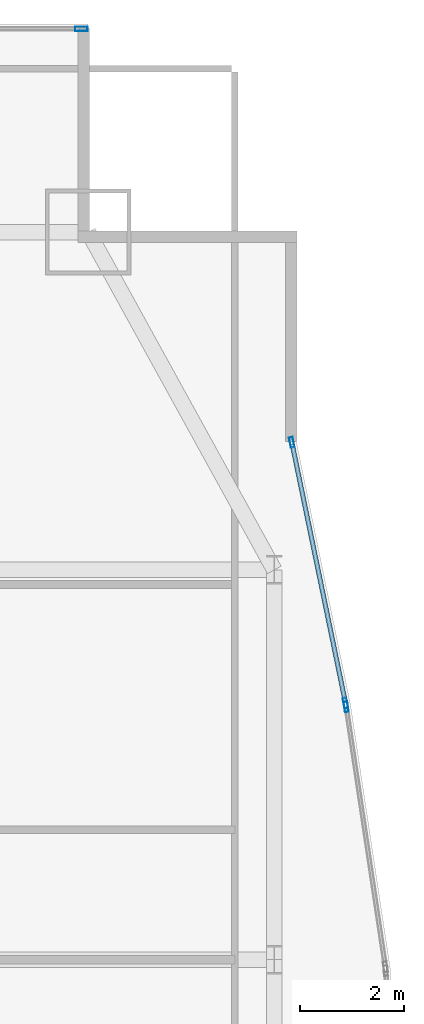
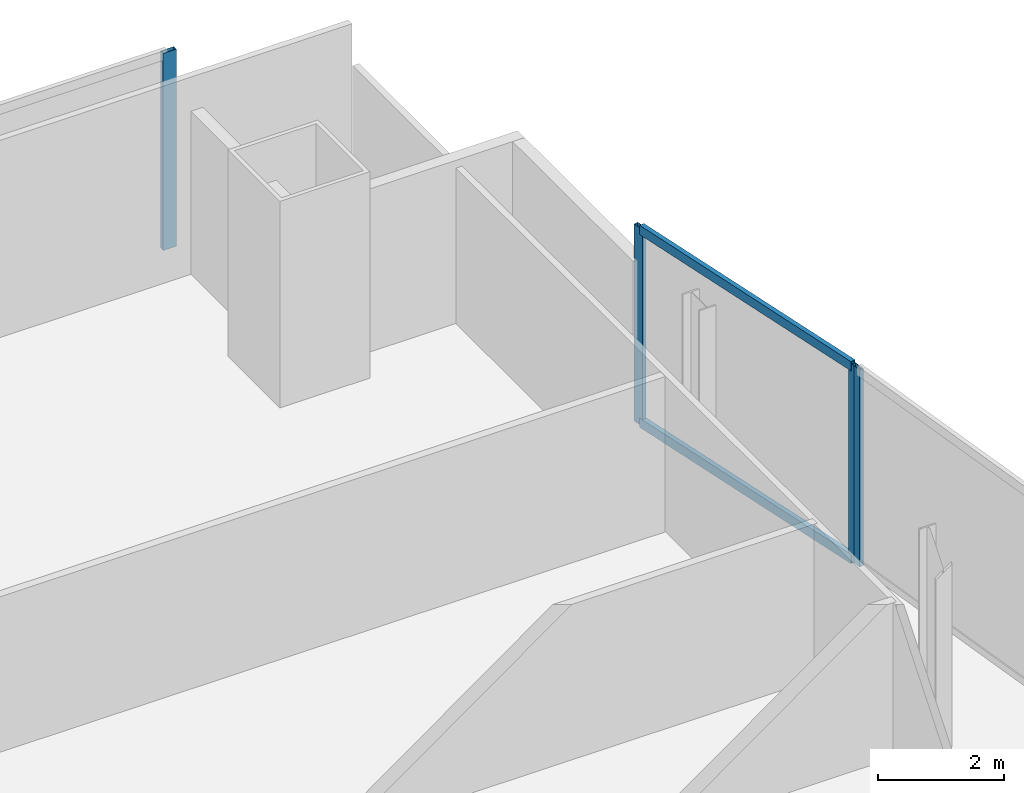
# One storey, part 26 of 36: 6 members, 3 elements without a shape of their own.
"""IFC4 building model written with IfcOpenShell, lengths in metres."""

from ifc_helpers import new_model, si_unit, direction, frame, origin, origin_2d, place, context, subcontext, project, spatial, hollow_rectangle, extrude, material, material_profile, profile_set, type_object, element, aggregate, save


model = new_model("IFC4")

# Units and contexts
model_context = context("Model", 3, precision=1e-05, world=origin(), true_north=direction((0.0, 1.0)))
body_context = subcontext(model_context, "Body", "Model", "MODEL_VIEW")
ifc_project = project(units=[si_unit("LENGTHUNIT", "METRE"), si_unit("AREAUNIT", "SQUARE_METRE"), si_unit("VOLUMEUNIT", "CUBIC_METRE"), si_unit("PLANEANGLEUNIT", "RADIAN"), si_unit("MASSUNIT", "GRAM", prefix="KILO")], contexts=[model_context])

# Site, building, storey
site_placement = place(None, origin())
site = spatial("IfcSite", under=ifc_project, at=site_placement, CompositionType="ELEMENT")
building_placement = place(site_placement, origin())
building = spatial("IfcBuilding", under=site, at=building_placement, Name="Khoronbel Lancet Exchange", CompositionType="ELEMENT")
storey_placement = place(building_placement, frame((0.0, 0.0, 57.800048828125)))
storey = spatial("IfcBuildingStorey", under=building, at=storey_placement, Name="L13", CompositionType="ELEMENT", Elevation=57.800048828125)

# Curtain wall, member
ifc_material_1 = material(Name="Low-E Solar Control Insulating Glass", Category="glass")
curtain_wall_type_1 = type_object("IfcCurtainWallType", Name="CW-1", PredefinedType="NOTDEFINED", material=ifc_material_1)
curtain_wall_1_placement = place(storey_placement, origin())
curtain_wall_1 = element("IfcCurtainWall", 1, at=curtain_wall_1_placement, inside=storey, type_object=curtain_wall_type_1, Name="Unitised curtain wall CW-L13-NEFLK", PredefinedType="NOTDEFINED")
ifc_material_2 = material(Name="Bronze-Anodised Aluminium 6063-T6", Category="aluminium")
ifc_material_profile_1 = material_profile(ifc_material_2, hollow_rectangle(XDim=0.0849609375, YDim=0.239990234375, WallThickness=0.006103515625, at=origin_2d()), Name="ALU MULLION 85x240")
ifc_profile_set_1 = profile_set([ifc_material_profile_1], Name="Bronze-Anodised Aluminium 6063-T6")
member_type_1 = type_object("IfcMemberType", Name="MEM-CWM1", PredefinedType="MULLION", material=ifc_profile_set_1)
member_1_placement = place(storey_placement, frame((67.91748046875, 53.610107421875, 0.0), z_axis=(0.0, 0.0, 1.0), x_axis=(0.0, -1.0, 0.0)))
member_1 = element("IfcMember", 2, at=member_1_placement, type_object=member_type_1, Name="CW1 mullion 1", PredefinedType="MULLION", context=body_context, shape_type="SweptSolid", body=[
    extrude(hollow_rectangle(XDim=0.0849609375, YDim=0.239990234375, WallThickness=0.006103515625, at=origin_2d()), origin(), (0.0, 0.0, 1.0), 3.820068359375),
])
aggregate(curtain_wall_1, [member_1])

# Curtain wall, members
curtain_wall_type_2 = type_object("IfcCurtainWallType", Name="CW-4", PredefinedType="NOTDEFINED", material=ifc_material_1)
curtain_wall_2_placement = place(storey_placement, origin())
curtain_wall_2 = element("IfcCurtainWall", 3, at=curtain_wall_2_placement, inside=storey, type_object=curtain_wall_type_2, Name="Unitised curtain wall CW-L13-E17", PredefinedType="NOTDEFINED")
ifc_material_profile_2 = material_profile(ifc_material_2, hollow_rectangle(XDim=0.074951171875, YDim=0.199951171875, WallThickness=0.0048828125, at=origin_2d()), Name="ALU MULLION 75x200")
ifc_profile_set_2 = profile_set([ifc_material_profile_2], Name="Bronze-Anodised Aluminium 6063-T6")
member_type_2 = type_object("IfcMemberType", Name="MEM-CWM2", PredefinedType="MULLION", material=ifc_profile_set_2)
member_2_placement = place(storey_placement, frame((71.967529296875, 45.654052734375, 0.0), z_axis=(0.0, 0.0, 1.0), x_axis=(0.979446422351, 0.201704501049, 0.0)))
member_2 = element("IfcMember", 4, at=member_2_placement, type_object=member_type_2, Name="CW4 mullion 1", PredefinedType="MULLION", context=body_context, shape_type="SweptSolid", body=[
    extrude(hollow_rectangle(XDim=0.074951171875, YDim=0.199951171875, WallThickness=0.0048828125, at=origin_2d()), origin(), (0.0, 0.0, 1.0), 3.820068359375),
])
member_3_placement = place(storey_placement, frame((73.000732421875, 40.6376953125, 0.0), z_axis=(0.0, 0.0, 1.0), x_axis=(0.979446422351, 0.201704501049, 0.0)))
member_3 = element("IfcMember", 5, at=member_3_placement, type_object=member_type_2, Name="CW4 mullion 2", PredefinedType="MULLION", context=body_context, shape_type="SweptSolid", body=[
    extrude(hollow_rectangle(XDim=0.074951171875, YDim=0.199951171875, WallThickness=0.0048828125, at=origin_2d()), origin(), (0.0, 0.0, 1.0), 3.820068359375),
])

# Curtain wall, member
curtain_wall_3_placement = place(storey_placement, origin())
curtain_wall_3 = element("IfcCurtainWall", 6, at=curtain_wall_3_placement, inside=storey, type_object=curtain_wall_type_2, Name="Unitised curtain wall CW-L13-E18", PredefinedType="NOTDEFINED")
member_4_placement = place(storey_placement, frame((73.013671875, 40.563720703125, 0.0), z_axis=(0.0, 0.0, 1.0), x_axis=(0.988825213041, 0.149079502463, 0.0)))
member_4 = element("IfcMember", 7, at=member_4_placement, type_object=member_type_2, Name="CW4 mullion 1", PredefinedType="MULLION", context=body_context, shape_type="SweptSolid", body=[
    extrude(hollow_rectangle(XDim=0.074951171875, YDim=0.199951171875, WallThickness=0.0048828125, at=origin_2d()), origin(), (0.0, 0.0, 1.0), 3.820068359375),
])
aggregate(curtain_wall_3, [member_4])

# Member
ifc_material_profile_3 = material_profile(ifc_material_2, hollow_rectangle(XDim=0.0849609375, YDim=0.179931640625, WallThickness=0.0048828125, at=origin_2d()), Name="ALU TRANSOM 85x180")
ifc_profile_set_3 = profile_set([ifc_material_profile_3], Name="Bronze-Anodised Aluminium 6063-T6")
member_type_3 = type_object("IfcMemberType", Name="MEM-CWT1", PredefinedType="USERDEFINED", material=ifc_profile_set_3)
member_5_placement = place(storey_placement, frame((71.97509765625, 45.617431640625, 0.04248046875), z_axis=(0.201722531566, -0.979442709023, 0.0), x_axis=(0.979442709023, 0.201722531566, 0.0)))
member_5 = element("IfcMember", 8, at=member_5_placement, type_object=member_type_3, Name="CW4 transom 1.1", ObjectType="TRANSOM", PredefinedType="USERDEFINED", context=body_context, shape_type="SweptSolid", body=[
    extrude(hollow_rectangle(XDim=0.0849609375, YDim=0.179931640625, WallThickness=0.0048828125, at=origin_2d()), origin(), (0.0, 0.0, 1.0), 5.046875),
])

member_6_placement = place(storey_placement, frame((71.97509765625, 45.617431640625, 3.77734375), z_axis=(0.201722531566, -0.979442709023, 0.0), x_axis=(0.979442709023, 0.201722531566, 0.0)))
member_6 = element("IfcMember", 9, at=member_6_placement, type_object=member_type_3, Name="CW4 transom 1.2", ObjectType="TRANSOM", PredefinedType="USERDEFINED", context=body_context, shape_type="SweptSolid", body=[
    extrude(hollow_rectangle(XDim=0.0849609375, YDim=0.179931640625, WallThickness=0.0048828125, at=origin_2d()), origin(), (0.0, 0.0, 1.0), 5.046875),
])

aggregate(curtain_wall_2, [member_2, member_3, member_5, member_6])

save(model, "model.ifc")
